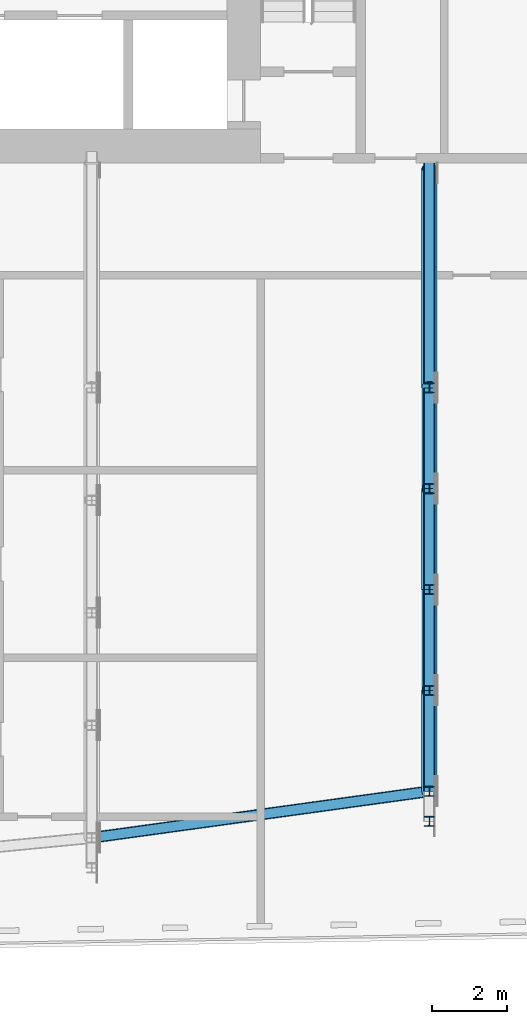
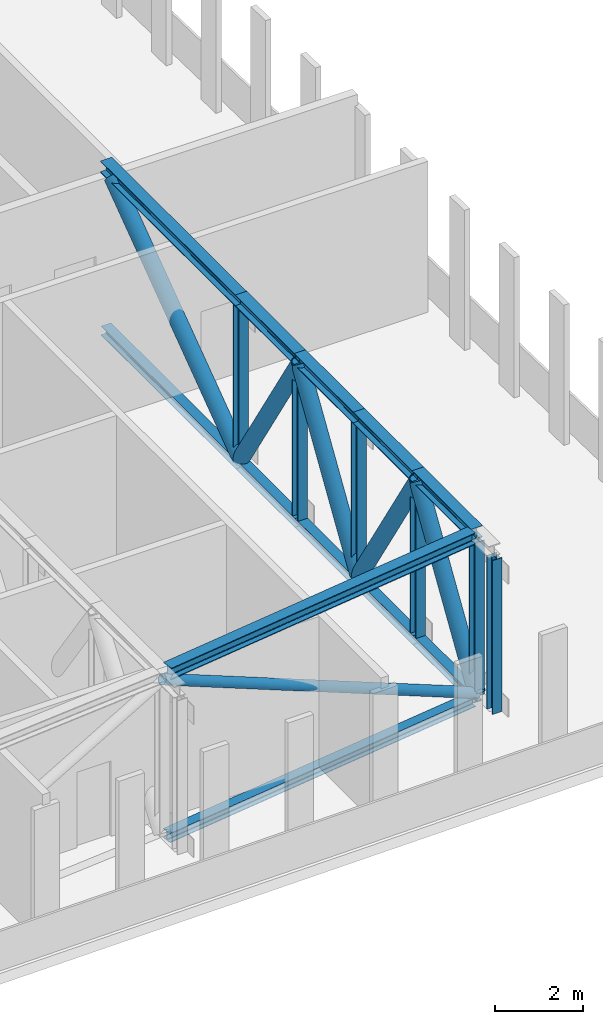
# One storey, part 8 of 26: 24 members.
"""IFC4 building model written with IfcOpenShell, lengths in metres."""

from ifc_helpers import new_model, si_unit, direction, frame, origin, origin_2d, place, context, subcontext, project, spatial, hollow_circle, i_section, extrude, material, material_profile, profile_set, type_object, element, save


model = new_model("IFC4")

# Units and contexts
model_context = context("Model", 3, precision=1e-05, world=origin(), true_north=direction((0.0, 1.0)))
body_context = subcontext(model_context, "Body", "Model", "MODEL_VIEW")
ifc_project = project(units=[si_unit("LENGTHUNIT", "METRE"), si_unit("AREAUNIT", "SQUARE_METRE"), si_unit("VOLUMEUNIT", "CUBIC_METRE"), si_unit("PLANEANGLEUNIT", "RADIAN"), si_unit("MASSUNIT", "GRAM", prefix="KILO")], contexts=[model_context])

# Site, building, storey
site_placement = place(None, origin())
site = spatial("IfcSite", under=ifc_project, at=site_placement, CompositionType="ELEMENT")
building_placement = place(site_placement, origin())
building = spatial("IfcBuilding", under=site, at=building_placement, Name="Kajstack Hotel Tower", CompositionType="ELEMENT")
storey_placement = place(building_placement, frame((0.0, 0.0, 257.300048828125)))
storey = spatial("IfcBuildingStorey", under=building, at=storey_placement, Name="L64", CompositionType="ELEMENT", Elevation=257.300048828125)

# Members
ifc_material = material(Name="Steel S355J2", Category="steel")
ifc_material_profile_1 = material_profile(ifc_material, i_section(OverallWidth=0.260009765625, OverallDepth=0.260009765625, WebThickness=0.010009765625, FlangeThickness=0.017578125, FilletRadius=0.02392578125, at=origin_2d()), Name="HEB 260")
ifc_profile_set_1 = profile_set([ifc_material_profile_1], Name="Steel S355J2")
member_type_1 = type_object("IfcMemberType", Name="Belt truss bottom chord BB5 HEB 260", PredefinedType="CHORD", material=ifc_profile_set_1)
member_1_placement = place(storey_placement, frame((27.12890625, -16.478515625, -0.130126953125), z_axis=(0.990643712897, 0.136473565564, 0.0), x_axis=(-0.136473565564, 0.990643712897, 0.0)))
element("IfcMember", 1, at=member_1_placement, inside=storey, type_object=member_type_1, Name="S-belt-truss-L64-s08-b", PredefinedType="CHORD", context=body_context, shape_type="SweptSolid", body=[
    extrude(i_section(OverallWidth=0.260009765625, OverallDepth=0.260009765625, WebThickness=0.010009765625, FlangeThickness=0.017578125, FilletRadius=0.02392578125, at=origin_2d()), origin(), (0.0, 0.0, 1.0), 8.82470703125),
])
ifc_material_profile_2 = material_profile(ifc_material, i_section(OverallWidth=0.260009765625, OverallDepth=0.260009765625, WebThickness=0.010009765625, FlangeThickness=0.017578125, FilletRadius=0.02392578125, at=origin_2d()), Name="HEB 260")
ifc_profile_set_2 = profile_set([ifc_material_profile_2], Name="Steel S355J2")
member_type_2 = type_object("IfcMemberType", Name="Belt truss bottom chord BC5 HEB 260", PredefinedType="CHORD", material=ifc_profile_set_2)
for number, where, z_axis, x_axis, name in (
    (2, (36.0, -15.256591796875, -0.130126953125), (0.0, 1.0, 0.0), (-1.0, 0.0, 0.0), "S-belt-truss-L64-+36p0-1-bc8"),
    (3, (36.0, -12.5673828125, -0.130126953125), (0.0, 1.0, 0.0), (-1.0, 0.0, 0.0), "S-belt-truss-L64-+36p0-1-bc9"),
):
    element("IfcMember", number, at=place(storey_placement, frame(where, z_axis=z_axis, x_axis=x_axis)), inside=storey, type_object=member_type_2, Name=name, PredefinedType="CHORD", context=body_context, shape_type="SweptSolid", body=[
        extrude(i_section(OverallWidth=0.260009765625, OverallDepth=0.260009765625, WebThickness=0.010009765625, FlangeThickness=0.017578125, FilletRadius=0.02392578125, at=origin_2d()), origin(), (0.0, 0.0, 1.0), 2.689208984375),
    ])
member_2_placement = place(storey_placement, frame((36.0, -9.878173828125, -0.130126953125), z_axis=(0.0, 1.0, 0.0), x_axis=(-1.0, 0.0, 0.0)))
element("IfcMember", 4, at=member_2_placement, inside=storey, type_object=member_type_2, Name="S-belt-truss-L64-+36p0-1-bc10", PredefinedType="CHORD", context=body_context, shape_type="SweptSolid", body=[
    extrude(i_section(OverallWidth=0.260009765625, OverallDepth=0.260009765625, WebThickness=0.010009765625, FlangeThickness=0.017578125, FilletRadius=0.02392578125, at=origin_2d()), origin(), (0.0, 0.0, 1.0), 2.68896484375),
])
member_3_placement = place(storey_placement, frame((36.0, -7.189208984375, -0.130126953125), z_axis=(0.0, 1.0, 0.0), x_axis=(-1.0, 0.0, 0.0)))
element("IfcMember", 5, at=member_3_placement, inside=storey, type_object=member_type_2, Name="S-belt-truss-L64-+36p0-1-bc11", PredefinedType="CHORD", context=body_context, shape_type="SweptSolid", body=[
    extrude(i_section(OverallWidth=0.260009765625, OverallDepth=0.260009765625, WebThickness=0.010009765625, FlangeThickness=0.017578125, FilletRadius=0.02392578125, at=origin_2d()), origin(), (0.0, 0.0, 1.0), 2.689208984375),
])
member_4_placement = place(storey_placement, frame((36.0, -4.5, -0.130126953125), z_axis=(0.0, 1.0, 0.0), x_axis=(-1.0, 0.0, 0.0)))
element("IfcMember", 6, at=member_4_placement, inside=storey, type_object=member_type_2, Name="S-belt-truss-L64-+36p0-1-bc12", PredefinedType="CHORD", context=body_context, shape_type="SweptSolid", body=[
    extrude(i_section(OverallWidth=0.260009765625, OverallDepth=0.260009765625, WebThickness=0.010009765625, FlangeThickness=0.017578125, FilletRadius=0.02392578125, at=origin_2d()), origin(), (0.0, 0.0, 1.0), 6.14990234375),
])
ifc_material_profile_3 = material_profile(ifc_material, hollow_circle(Radius=0.136474609375, WallThickness=0.012451171875, at=origin_2d()), Name="CHS 273x12.5")
ifc_profile_set_3 = profile_set([ifc_material_profile_3], Name="Steel S355J2")
member_type_3 = type_object("IfcMemberType", Name="Belt truss diagonal BD5 CHS 273x12.5", PredefinedType="BRACE", material=ifc_profile_set_3)
member_5_placement = place(storey_placement, frame((36.0, -15.256591796875, 0.0), z_axis=(-0.896176927084, -0.123423672385, 0.426184833678), x_axis=(0.136434607596, -0.990649079064, 0.0)))
element("IfcMember", 7, at=member_5_placement, inside=storey, type_object=member_type_3, Name="S-belt-truss-L64-s08-d", PredefinedType="BRACE", context=body_context, shape_type="SweptSolid", body=[
    extrude(hollow_circle(Radius=0.136474609375, WallThickness=0.012451171875, at=origin_2d()), origin(), (0.0, 0.0, 1.0), 10.042724609375),
])
ifc_material_profile_4 = material_profile(ifc_material, hollow_circle(Radius=0.203125, WallThickness=0.01611328125, at=origin_2d()), Name="CHS 406.4x16")
ifc_profile_set_4 = profile_set([ifc_material_profile_4], Name="Steel S355J2")
member_type_4 = type_object("IfcMemberType", Name="Belt truss diagonal DG5 CHS 406.4x16", PredefinedType="BRACE", material=ifc_profile_set_4)
for number, where, z_axis, x_axis, name in (
    (8, (36.0, -15.256591796875, 0.0), (0.0, 0.532016238209, 0.846734150889), (-1.0, 0.0, 0.0), "S-belt-truss-L64-+36p0-1-dg19"),
    (9, (36.0, -9.878173828125, 0.0), (0.0, -0.532016238209, 0.846734150889), (1.0, 0.0, 0.0), "S-belt-truss-L64-+36p0-1-dg20"),
    (10, (36.0, -9.878173828125, 0.0), (0.0, 0.531981608306, 0.846755908408), (-1.0, 0.0, 0.0), "S-belt-truss-L64-+36p0-1-dg21"),
    (11, (36.0, -4.5, 0.0), (0.0, -0.532016238209, 0.846734150889), (1.0, 0.0, 0.0), "S-belt-truss-L64-+36p0-1-dg22"),
):
    element("IfcMember", number, at=place(storey_placement, frame(where, z_axis=z_axis, x_axis=x_axis)), inside=storey, type_object=member_type_4, Name=name, PredefinedType="BRACE", context=body_context, shape_type="SweptSolid", body=[
        extrude(hollow_circle(Radius=0.203125, WallThickness=0.01611328125, at=origin_2d()), origin(), (0.0, 0.0, 1.0), 5.0546875),
    ])
member_6_placement = place(storey_placement, frame((36.0, -4.5, 0.0), z_axis=(0.0, 0.807065166712, 0.590462375329), x_axis=(-1.0, 0.0, 0.0)))
element("IfcMember", 12, at=member_6_placement, inside=storey, type_object=member_type_4, Name="S-belt-truss-L64-+36p0-1-dg23", PredefinedType="BRACE", context=body_context, shape_type="SweptSolid", body=[
    extrude(hollow_circle(Radius=0.203125, WallThickness=0.01611328125, at=origin_2d()), origin(), (0.0, 0.0, 1.0), 7.24853515625),
])
ifc_material_profile_5 = material_profile(ifc_material, i_section(OverallWidth=0.260009765625, OverallDepth=0.260009765625, WebThickness=0.010009765625, FlangeThickness=0.017578125, FilletRadius=0.02392578125, at=origin_2d()), Name="HEB 260")
ifc_profile_set_5 = profile_set([ifc_material_profile_5], Name="Steel S355J2")
member_type_5 = type_object("IfcMemberType", Name="Belt truss post PO5 HEB 260", PredefinedType="POST", material=ifc_profile_set_5)
for number, where, z_axis, x_axis, name in (
    (13, (36.0, -16.056396484375, 0.0), (0.0, 0.0, 1.0), (1.0, 0.0, 0.0), "S-belt-truss-L64-+36p0-1-po13"),
    (14, (36.0, -15.256591796875, 0.0), (0.0, 0.0, 1.0), (1.0, 0.0, 0.0), "S-belt-truss-L64-+36p0-1-po14"),
    (15, (36.0, -12.5673828125, 0.0), (0.0, 0.0, 1.0), (1.0, 0.0, 0.0), "S-belt-truss-L64-+36p0-1-po15"),
    (16, (36.0, -9.878173828125, 0.0), (0.0, 0.0, 1.0), (1.0, 0.0, 0.0), "S-belt-truss-L64-+36p0-1-po16"),
    (17, (36.0, -7.189208984375, 0.0), (0.0, 0.0, 1.0), (1.0, 0.0, 0.0), "S-belt-truss-L64-+36p0-1-po17"),
    (18, (36.0, -4.5, 0.0), (0.0, 0.0, 1.0), (1.0, 0.0, 0.0), "S-belt-truss-L64-+36p0-1-po18"),
):
    element("IfcMember", number, at=place(storey_placement, frame(where, z_axis=z_axis, x_axis=x_axis)), inside=storey, type_object=member_type_5, Name=name, PredefinedType="POST", context=body_context, shape_type="SweptSolid", body=[
        extrude(i_section(OverallWidth=0.260009765625, OverallDepth=0.260009765625, WebThickness=0.010009765625, FlangeThickness=0.017578125, FilletRadius=0.02392578125, at=origin_2d()), origin(), (0.0, 0.0, 1.0), 4.280029296875),
    ])
ifc_material_profile_6 = material_profile(ifc_material, i_section(OverallWidth=0.300048828125, OverallDepth=0.320068359375, WebThickness=0.011474609375, FlangeThickness=0.0205078125, FilletRadius=0.027099609375, at=origin_2d()), Name="HEB 320")
ifc_profile_set_6 = profile_set([ifc_material_profile_6], Name="Steel S355J2")
member_type_6 = type_object("IfcMemberType", Name="Belt truss top chord BT5 HEB 320", PredefinedType="CHORD", material=ifc_profile_set_6)
member_7_placement = place(storey_placement, frame((27.148681640625, -16.4755859375, 4.43994140625), z_axis=(0.990650033385, 0.136427678109, 0.0), x_axis=(-0.136427678109, 0.990650033385, 0.0)))
element("IfcMember", 19, at=member_7_placement, inside=storey, type_object=member_type_6, Name="S-belt-truss-L64-s08-t", PredefinedType="CHORD", context=body_context, shape_type="SweptSolid", body=[
    extrude(i_section(OverallWidth=0.300048828125, OverallDepth=0.320068359375, WebThickness=0.011474609375, FlangeThickness=0.0205078125, FilletRadius=0.027099609375, at=origin_2d()), origin(), (0.0, 0.0, 1.0), 8.78466796875),
])
ifc_material_profile_7 = material_profile(ifc_material, i_section(OverallWidth=0.300048828125, OverallDepth=0.320068359375, WebThickness=0.011474609375, FlangeThickness=0.0205078125, FilletRadius=0.027099609375, at=origin_2d()), Name="HEB 320")
ifc_profile_set_7 = profile_set([ifc_material_profile_7], Name="Steel S355J2")
member_type_7 = type_object("IfcMemberType", Name="Belt truss top chord TC5 HEB 320", PredefinedType="CHORD", material=ifc_profile_set_7)
for number, where, z_axis, x_axis, name in (
    (20, (36.0, -15.256591796875, 4.43994140625), (0.0, 1.0, 0.0), (-1.0, 0.0, 0.0), "S-belt-truss-L64-+36p0-1-tc2"),
    (21, (36.0, -12.5673828125, 4.43994140625), (0.0, 1.0, 0.0), (-1.0, 0.0, 0.0), "S-belt-truss-L64-+36p0-1-tc3"),
):
    element("IfcMember", number, at=place(storey_placement, frame(where, z_axis=z_axis, x_axis=x_axis)), inside=storey, type_object=member_type_7, Name=name, PredefinedType="CHORD", context=body_context, shape_type="SweptSolid", body=[
        extrude(i_section(OverallWidth=0.300048828125, OverallDepth=0.320068359375, WebThickness=0.011474609375, FlangeThickness=0.0205078125, FilletRadius=0.027099609375, at=origin_2d()), origin(), (0.0, 0.0, 1.0), 2.689208984375),
    ])
member_8_placement = place(storey_placement, frame((36.0, -9.878173828125, 4.43994140625), z_axis=(0.0, 1.0, 0.0), x_axis=(-1.0, 0.0, 0.0)))
element("IfcMember", 22, at=member_8_placement, inside=storey, type_object=member_type_7, Name="S-belt-truss-L64-+36p0-1-tc4", PredefinedType="CHORD", context=body_context, shape_type="SweptSolid", body=[
    extrude(i_section(OverallWidth=0.300048828125, OverallDepth=0.320068359375, WebThickness=0.011474609375, FlangeThickness=0.0205078125, FilletRadius=0.027099609375, at=origin_2d()), origin(), (0.0, 0.0, 1.0), 2.68896484375),
])
member_9_placement = place(storey_placement, frame((36.0, -7.189208984375, 4.43994140625), z_axis=(0.0, 1.0, 0.0), x_axis=(-1.0, 0.0, 0.0)))
element("IfcMember", 23, at=member_9_placement, inside=storey, type_object=member_type_7, Name="S-belt-truss-L64-+36p0-1-tc5", PredefinedType="CHORD", context=body_context, shape_type="SweptSolid", body=[
    extrude(i_section(OverallWidth=0.300048828125, OverallDepth=0.320068359375, WebThickness=0.011474609375, FlangeThickness=0.0205078125, FilletRadius=0.027099609375, at=origin_2d()), origin(), (0.0, 0.0, 1.0), 2.689208984375),
])
member_10_placement = place(storey_placement, frame((36.0, -4.5, 4.43994140625), z_axis=(0.0, 1.0, 0.0), x_axis=(-1.0, 0.0, 0.0)))
element("IfcMember", 24, at=member_10_placement, inside=storey, type_object=member_type_7, Name="S-belt-truss-L64-+36p0-1-tc6", PredefinedType="CHORD", context=body_context, shape_type="SweptSolid", body=[
    extrude(i_section(OverallWidth=0.300048828125, OverallDepth=0.320068359375, WebThickness=0.011474609375, FlangeThickness=0.0205078125, FilletRadius=0.027099609375, at=origin_2d()), origin(), (0.0, 0.0, 1.0), 6.14990234375),
])

save(model, "model.ifc")
